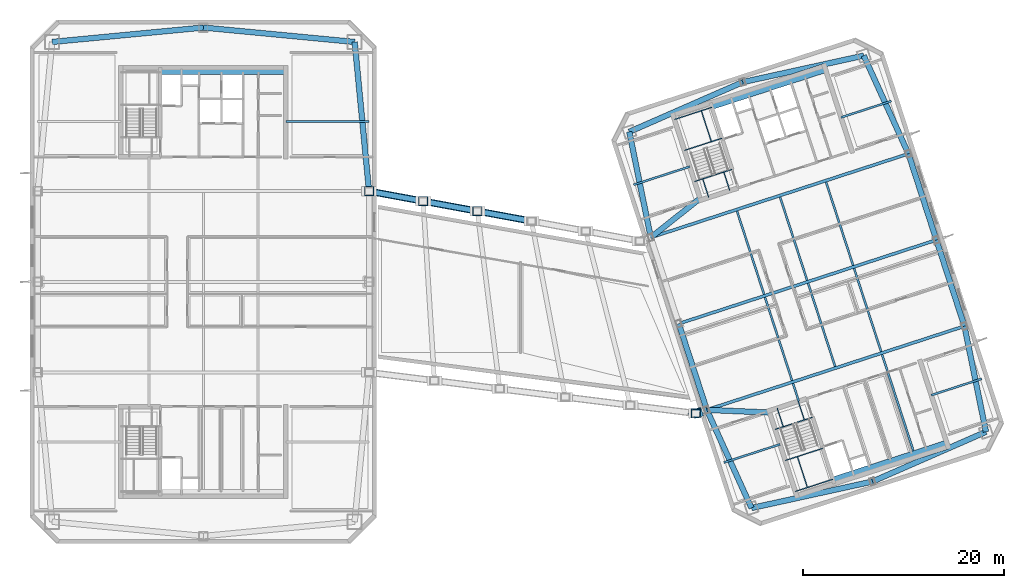
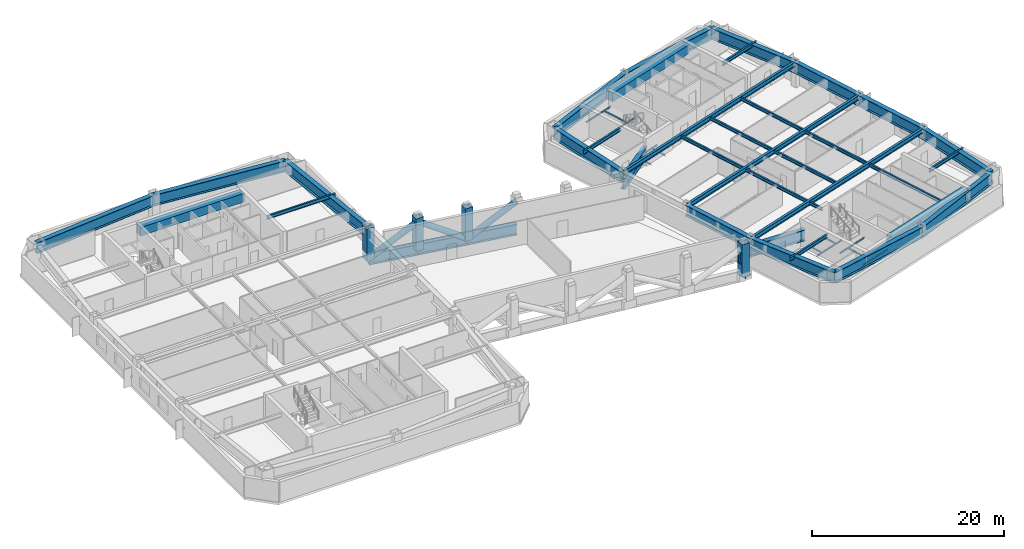
# One storey, part 4 of 19: 51 beams, 8 members.
"""IFC4 building model written with IfcOpenShell, lengths in metres."""

from ifc_helpers import new_model, si_unit, direction, frame, origin, origin_2d, place, context, subcontext, project, spatial, rectangle, hollow_rectangle, hollow_circle, i_section, extrude, material, material_profile, profile_set, type_object, element, save


model = new_model("IFC4")

# Units and contexts
model_context = context("Model", 3, precision=1e-05, world=origin(), true_north=direction((0.0, 1.0)))
body_context = subcontext(model_context, "Body", "Model", "MODEL_VIEW")
ifc_project = project(units=[si_unit("LENGTHUNIT", "METRE"), si_unit("AREAUNIT", "SQUARE_METRE"), si_unit("VOLUMEUNIT", "CUBIC_METRE"), si_unit("PLANEANGLEUNIT", "RADIAN"), si_unit("MASSUNIT", "GRAM", prefix="KILO")], contexts=[model_context])

# Site, building, storey
site_placement = place(None, origin())
site = spatial("IfcSite", under=ifc_project, at=site_placement, CompositionType="ELEMENT")
building_placement = place(site_placement, origin())
building = spatial("IfcBuilding", under=site, at=building_placement, Name="Qiaolan Cultural Towers", CompositionType="ELEMENT")
storey_placement = place(building_placement, frame((0.0, 0.0, 216.199951171875)))
storey = spatial("IfcBuildingStorey", under=building, at=storey_placement, Name="L58", CompositionType="ELEMENT", Elevation=216.199951171875)

# Beams
ifc_material_1 = material(Name="Steel Q420GJB", Category="steel")
ifc_material_profile_1 = material_profile(ifc_material_1, i_section(OverallWidth=0.550048828125, OverallDepth=1.39990234375, WebThickness=0.031982421875, FlangeThickness=0.050048828125, at=origin_2d()), Name="BH1400x550x32x50")
ifc_profile_set_1 = profile_set([ifc_material_profile_1], Name="Steel Q420GJB")
beam_type_1 = type_object("IfcBeamType", Name="BM-BH1400x550x32x50", PredefinedType="BEAM", material=ifc_profile_set_1)
beam_1_placement = place(storey_placement, frame((46.449951171875, 43.0, 2.469970703125), z_axis=(-0.096040159186, 0.995377459974, 0.0), x_axis=(-0.995377459974, -0.096040159186, 0.0)))
element("IfcBeam", 1, at=beam_1_placement, inside=storey, type_object=beam_type_1, Name="L58 T1 Perimeter Spandrel Beam 6", PredefinedType="BEAM", context=body_context, shape_type="SweptSolid", body=[
    extrude(i_section(OverallWidth=0.550048828125, OverallDepth=1.39990234375, WebThickness=0.031982421875, FlangeThickness=0.050048828125, at=origin_2d()), origin(), (0.0, 0.0, 1.0), 14.888916015625),
])
for number, where, z_axis, x_axis, name in (
    (2, (45.02001953125, 57.820068359375, 2.469970703125), (-0.995498889995, 0.094773203061, 0.0), (-0.094773203061, -0.995498889995, 0.0), "L58 T1 Perimeter Spandrel Beam 7"),
    (3, (30.0, 59.25, 2.469970703125), (-0.995498889995, -0.094773203061, 0.0), (0.094773203061, -0.995498889995, 0.0), "L58 T1 Perimeter Spandrel Beam 8"),
):
    element("IfcBeam", number, at=place(storey_placement, frame(where, z_axis=z_axis, x_axis=x_axis)), inside=storey, type_object=beam_type_1, Name=name, PredefinedType="BEAM", context=body_context, shape_type="SweptSolid", body=[
        extrude(i_section(OverallWidth=0.550048828125, OverallDepth=1.39990234375, WebThickness=0.031982421875, FlangeThickness=0.050048828125, at=origin_2d()), origin(), (0.0, 0.0, 1.0), 15.087890625),
    ])
beam_2_placement = place(storey_placement, frame((84.42822265625, 11.538818359375, 2.469970703125), z_axis=(0.976843395078, 0.213955559619, 0.0), x_axis=(-0.213955559619, 0.976843395078, 0.0)))
element("IfcBeam", 4, at=beam_2_placement, inside=storey, type_object=beam_type_1, Name="L58 T2 Perimeter Spandrel Beam 1", PredefinedType="BEAM", context=body_context, shape_type="SweptSolid", body=[
    extrude(i_section(OverallWidth=0.550048828125, OverallDepth=1.39990234375, WebThickness=0.031982421875, FlangeThickness=0.050048828125, at=origin_2d()), origin(), (0.0, 0.0, 1.0), 12.2998046875),
])
beam_3_placement = place(storey_placement, frame((96.443115234375, 14.17041015625, 2.469970703125), z_axis=(0.916042038824, 0.401082264762, 0.0), x_axis=(-0.401082264762, 0.916042038824, 0.0)))
element("IfcBeam", 5, at=beam_3_placement, inside=storey, type_object=beam_type_1, Name="L58 T2 Perimeter Spandrel Beam 2", PredefinedType="BEAM", context=body_context, shape_type="SweptSolid", body=[
    extrude(i_section(OverallWidth=0.550048828125, OverallDepth=1.39990234375, WebThickness=0.031982421875, FlangeThickness=0.050048828125, at=origin_2d()), origin(), (0.0, 0.0, 1.0), 12.299560546875),
])
beam_4_placement = place(storey_placement, frame((107.7099609375, 19.103515625, 2.469970703125), z_axis=(-0.199578538116, 0.979881833245, 0.0), x_axis=(-0.979881833245, -0.199578538116, 0.0)))
element("IfcBeam", 6, at=beam_4_placement, inside=storey, type_object=beam_type_1, Name="L58 T2 Perimeter Spandrel Beam 3", PredefinedType="BEAM", context=body_context, shape_type="SweptSolid", body=[
    extrude(i_section(OverallWidth=0.550048828125, OverallDepth=1.39990234375, WebThickness=0.031982421875, FlangeThickness=0.050048828125, at=origin_2d()), origin(), (0.0, 0.0, 1.0), 10.70849609375),
])
for number, where, z_axis, x_axis, name in (
    (7, (105.57275390625, 29.5966796875, 2.469970703125), (-0.309000197986, 0.951061973609, 0.0), (-0.951061973609, -0.309000197986, 0.0), "L58 T2 Perimeter Spandrel Beam 4"),
    (8, (102.791748046875, 38.15625, 2.469970703125), (-0.309024734286, 0.951054001411, 0.0), (-0.951054001411, -0.309024734286, 0.0), "L58 T2 Perimeter Spandrel Beam 5"),
):
    element("IfcBeam", number, at=place(storey_placement, frame(where, z_axis=z_axis, x_axis=x_axis)), inside=storey, type_object=beam_type_1, Name=name, PredefinedType="BEAM", context=body_context, shape_type="SweptSolid", body=[
        extrude(i_section(OverallWidth=0.550048828125, OverallDepth=1.39990234375, WebThickness=0.031982421875, FlangeThickness=0.050048828125, at=origin_2d()), origin(), (0.0, 0.0, 1.0), 9.0),
    ])
beam_5_placement = place(storey_placement, frame((100.010498046875, 46.7158203125, 2.469970703125), z_axis=(-0.414500208282, 0.910049216985, 0.0), x_axis=(-0.910049216985, -0.414500208282, 0.0)))
element("IfcBeam", 9, at=beam_5_placement, inside=storey, type_object=beam_type_1, Name="L58 T2 Perimeter Spandrel Beam 6", PredefinedType="BEAM", context=body_context, shape_type="SweptSolid", body=[
    extrude(i_section(OverallWidth=0.550048828125, OverallDepth=1.39990234375, WebThickness=0.031982421875, FlangeThickness=0.050048828125, at=origin_2d()), origin(), (0.0, 0.0, 1.0), 10.70849609375),
])
beam_6_placement = place(storey_placement, frame((95.57177734375, 56.461181640625, 2.469970703125), z_axis=(-0.976843395078, -0.213955559619, 0.0), x_axis=(0.213955559619, -0.976843395078, 0.0)))
element("IfcBeam", 10, at=beam_6_placement, inside=storey, type_object=beam_type_1, Name="L58 T2 Perimeter Spandrel Beam 7", PredefinedType="BEAM", context=body_context, shape_type="SweptSolid", body=[
    extrude(i_section(OverallWidth=0.550048828125, OverallDepth=1.39990234375, WebThickness=0.031982421875, FlangeThickness=0.050048828125, at=origin_2d()), origin(), (0.0, 0.0, 1.0), 12.2998046875),
])
beam_7_placement = place(storey_placement, frame((83.556884765625, 53.82958984375, 2.469970703125), z_axis=(-0.916042038824, -0.401082264762, 0.0), x_axis=(0.401082264762, -0.916042038824, 0.0)))
element("IfcBeam", 11, at=beam_7_placement, inside=storey, type_object=beam_type_1, Name="L58 T2 Perimeter Spandrel Beam 8", PredefinedType="BEAM", context=body_context, shape_type="SweptSolid", body=[
    extrude(i_section(OverallWidth=0.550048828125, OverallDepth=1.39990234375, WebThickness=0.031982421875, FlangeThickness=0.050048828125, at=origin_2d()), origin(), (0.0, 0.0, 1.0), 12.299560546875),
])
beam_8_placement = place(storey_placement, frame((72.2900390625, 48.896484375, 2.469970703125), z_axis=(0.199578538116, -0.979881833245, 0.0), x_axis=(0.979881833245, 0.199578538116, 0.0)))
element("IfcBeam", 12, at=beam_8_placement, inside=storey, type_object=beam_type_1, Name="L58 T2 Perimeter Spandrel Beam 9", PredefinedType="BEAM", context=body_context, shape_type="SweptSolid", body=[
    extrude(i_section(OverallWidth=0.550048828125, OverallDepth=1.39990234375, WebThickness=0.031982421875, FlangeThickness=0.050048828125, at=origin_2d()), origin(), (0.0, 0.0, 1.0), 10.70849609375),
])
beam_9_placement = place(storey_placement, frame((77.208251953125, 29.84375, 2.469970703125), z_axis=(0.309024734286, -0.951054001411, 0.0), x_axis=(0.951054001411, 0.309024734286, 0.0)))
element("IfcBeam", 13, at=beam_9_placement, inside=storey, type_object=beam_type_1, Name="L58 T2 Perimeter Spandrel Beam 11", PredefinedType="BEAM", context=body_context, shape_type="SweptSolid", body=[
    extrude(i_section(OverallWidth=0.550048828125, OverallDepth=1.39990234375, WebThickness=0.031982421875, FlangeThickness=0.050048828125, at=origin_2d()), origin(), (0.0, 0.0, 1.0), 9.0),
])
beam_10_placement = place(storey_placement, frame((79.989501953125, 21.2841796875, 2.469970703125), z_axis=(0.414500208282, -0.910049216985, 0.0), x_axis=(0.910049216985, 0.414500208282, 0.0)))
element("IfcBeam", 14, at=beam_10_placement, inside=storey, type_object=beam_type_1, Name="L58 T2 Perimeter Spandrel Beam 12", PredefinedType="BEAM", context=body_context, shape_type="SweptSolid", body=[
    extrude(i_section(OverallWidth=0.550048828125, OverallDepth=1.39990234375, WebThickness=0.031982421875, FlangeThickness=0.050048828125, at=origin_2d()), origin(), (0.0, 0.0, 1.0), 10.70849609375),
])
beam_11_placement = place(storey_placement, frame((86.280517578125, 21.01513671875, 1.52001953125), z_axis=(-0.99908677763, 0.0427271666, 0.0), x_axis=(-0.0427271666, -0.99908677763, 0.0)))
element("IfcBeam", 15, at=beam_11_placement, inside=storey, type_object=beam_type_1, Name="L58 East Tower Sky Park Upper Corbel Back-Span S", PredefinedType="BEAM", context=body_context, shape_type="SweptSolid", body=[
    extrude(i_section(OverallWidth=0.550048828125, OverallDepth=1.39990234375, WebThickness=0.031982421875, FlangeThickness=0.050048828125, at=origin_2d()), origin(), (0.0, 0.0, 1.0), 6.296875),
])
beam_12_placement = place(storey_placement, frame((79.989501953125, 21.2841796875, 1.52001953125), z_axis=(-0.951058615481, -0.309010533671, 0.0), x_axis=(0.309010533671, -0.951058615481, 0.0)))
element("IfcBeam", 16, at=beam_12_placement, inside=storey, type_object=beam_type_1, Name="L58 East Tower Sky Park Upper Bridge Seat Corbel S (1900 mm Seat)", PredefinedType="BEAM", context=body_context, shape_type="SweptSolid", body=[
    extrude(i_section(OverallWidth=0.550048828125, OverallDepth=1.39990234375, WebThickness=0.031982421875, FlangeThickness=0.050048828125, at=origin_2d()), origin(), (0.0, 0.0, 1.0), 1.900146484375),
])
beam_13_placement = place(storey_placement, frame((79.358642578125, 42.31884765625, 1.52001953125), z_axis=(-0.783155829209, -0.62182549576, 0.0), x_axis=(0.62182549576, -0.783155829209, 0.0)))
element("IfcBeam", 17, at=beam_13_placement, inside=storey, type_object=beam_type_1, Name="L58 East Tower Sky Park Upper Corbel Back-Span N", PredefinedType="BEAM", context=body_context, shape_type="SweptSolid", body=[
    extrude(i_section(OverallWidth=0.550048828125, OverallDepth=1.39990234375, WebThickness=0.031982421875, FlangeThickness=0.050048828125, at=origin_2d()), origin(), (0.0, 0.0, 1.0), 6.296875),
])
for number, where, z_axis, x_axis, name in (
    (18, (46.449951171875, 43.0, -0.97998046875), (0.983452141721, -0.181168112381, 0.0), (0.181168112381, 0.983452141721, 0.0), "Sky Park N Truss Bottom Chord 1"),
    (19, (51.82666015625, 42.009521484375, -0.97998046875), (0.983452141721, -0.181168112381, 0.0), (0.181168112381, 0.983452141721, 0.0), "Sky Park N Truss Bottom Chord 2"),
):
    element("IfcBeam", number, at=place(storey_placement, frame(where, z_axis=z_axis, x_axis=x_axis)), inside=storey, type_object=beam_type_1, Name=name, PredefinedType="BEAM", context=body_context, shape_type="SweptSolid", body=[
        extrude(i_section(OverallWidth=0.550048828125, OverallDepth=1.39990234375, WebThickness=0.031982421875, FlangeThickness=0.050048828125, at=origin_2d()), origin(), (0.0, 0.0, 1.0), 5.46728515625),
    ])
beam_14_placement = place(storey_placement, frame((57.203369140625, 41.01904296875, -0.97998046875), z_axis=(0.983460097148, -0.181124921856, 0.0), x_axis=(0.181124921856, 0.983460097148, 0.0)))
element("IfcBeam", 20, at=beam_14_placement, inside=storey, type_object=beam_type_1, Name="Sky Park N Truss Bottom Chord 3", PredefinedType="BEAM", context=body_context, shape_type="SweptSolid", body=[
    extrude(i_section(OverallWidth=0.550048828125, OverallDepth=1.39990234375, WebThickness=0.031982421875, FlangeThickness=0.050048828125, at=origin_2d()), origin(), (0.0, 0.0, 1.0), 5.467041015625),
])
ifc_material_2 = material(Name="Steel Q355B", Category="steel")
ifc_material_profile_2 = material_profile(ifc_material_2, i_section(OverallWidth=0.300048828125, OverallDepth=0.587890625, WebThickness=0.011962890625, FlangeThickness=0.02001953125, at=origin_2d()), Name="HM588x300x12x20")
ifc_profile_set_2 = profile_set([ifc_material_profile_2], Name="Steel Q355B")
beam_type_2 = type_object("IfcBeamType", Name="BM-HM588x300x12x20", PredefinedType="BEAM", material=ifc_profile_set_2)
beam_15_placement = place(storey_placement, frame((79.989501953125, 21.2841796875, 2.8759765625), z_axis=(0.951056543098, 0.309016911884, 0.0), x_axis=(-0.309016911884, 0.951056543098, 0.0)))
element("IfcBeam", 21, at=beam_15_placement, inside=storey, type_object=beam_type_2, Name="L58 T2 Primary Transverse Girder V1", PredefinedType="BEAM", context=body_context, shape_type="SweptSolid", body=[
    extrude(i_section(OverallWidth=0.300048828125, OverallDepth=0.587890625, WebThickness=0.011962890625, FlangeThickness=0.02001953125, at=origin_2d()), origin(), (0.0, 0.0, 1.0), 26.89990234375),
])
beam_16_placement = place(storey_placement, frame((77.208251953125, 29.84375, 2.8759765625), z_axis=(0.95105740976, 0.309014244561, 0.0), x_axis=(-0.309014244561, 0.95105740976, 0.0)))
element("IfcBeam", 22, at=beam_16_placement, inside=storey, type_object=beam_type_2, Name="L58 T2 Primary Transverse Girder V2", PredefinedType="BEAM", context=body_context, shape_type="SweptSolid", body=[
    extrude(i_section(OverallWidth=0.300048828125, OverallDepth=0.587890625, WebThickness=0.011962890625, FlangeThickness=0.02001953125, at=origin_2d()), origin(), (0.0, 0.0, 1.0), 26.900146484375),
])
beam_17_placement = place(storey_placement, frame((74.42724609375, 38.4033203125, 2.8759765625), z_axis=(0.951056543098, 0.309016911884, 0.0), x_axis=(-0.309016911884, 0.951056543098, 0.0)))
element("IfcBeam", 23, at=beam_17_placement, inside=storey, type_object=beam_type_2, Name="L58 T2 Primary Transverse Girder V3", PredefinedType="BEAM", context=body_context, shape_type="SweptSolid", body=[
    extrude(i_section(OverallWidth=0.300048828125, OverallDepth=0.587890625, WebThickness=0.011962890625, FlangeThickness=0.02001953125, at=origin_2d()), origin(), (0.0, 0.0, 1.0), 26.89990234375),
])
ifc_material_3 = material(Name="Steel Q355B", Category="steel")
ifc_material_profile_3 = material_profile(ifc_material_3, i_section(OverallWidth=0.199951171875, OverallDepth=0.39990234375, WebThickness=0.008056640625, FlangeThickness=0.012939453125, at=origin_2d()), Name="HN400x200x8x13")
ifc_profile_set_3 = profile_set([ifc_material_profile_3], Name="Steel Q355B")
beam_type_3 = type_object("IfcBeamType", Name="BM-JST-HN400x200x8x13", PredefinedType="JOIST", material=ifc_profile_set_3)
beam_18_placement = place(storey_placement, frame((89.119384765625, 22.147705078125, 2.969970703125), z_axis=(-0.308933885266, 0.951083516067, 0.0), x_axis=(-0.951083516067, -0.308933885266, 0.0)))
element("IfcBeam", 24, at=beam_18_placement, inside=storey, type_object=beam_type_3, Name="L58 T2 Secondary Floor Joist U1-1", PredefinedType="JOIST", context=body_context, shape_type="SweptSolid", body=[
    extrude(i_section(OverallWidth=0.199951171875, OverallDepth=0.39990234375, WebThickness=0.008056640625, FlangeThickness=0.012939453125, at=origin_2d()), origin(), (0.0, 0.0, 1.0), 1.85009765625),
])
for number, where, z_axis, x_axis, name in (
    (25, (88.455078125, 24.192626953125, 2.969970703125), (-0.309020714809, 0.951055307445, 0.0), (-0.951055307445, -0.309020714809, 0.0), "L58 T2 Secondary Floor Joist U1-2"),
    (26, (85.673828125, 32.752197265625, 2.969970703125), (-0.309020714809, 0.951055307445, 0.0), (-0.951055307445, -0.309020714809, 0.0), "L58 T2 Secondary Floor Joist U1-3"),
    (27, (92.73486328125, 25.583251953125, 2.969970703125), (-0.309020714809, 0.951055307445, 0.0), (-0.951055307445, -0.309020714809, 0.0), "L58 T2 Secondary Floor Joist U2-2"),
    (28, (89.95361328125, 34.142578125, 2.969970703125), (-0.309020714809, 0.951055307445, 0.0), (-0.951055307445, -0.309020714809, 0.0), "L58 T2 Secondary Floor Joist U2-3"),
):
    element("IfcBeam", number, at=place(storey_placement, frame(where, z_axis=z_axis, x_axis=x_axis)), inside=storey, type_object=beam_type_3, Name=name, PredefinedType="JOIST", context=body_context, shape_type="SweptSolid", body=[
        extrude(i_section(OverallWidth=0.199951171875, OverallDepth=0.39990234375, WebThickness=0.008056640625, FlangeThickness=0.012939453125, at=origin_2d()), origin(), (0.0, 0.0, 1.0), 8.699951171875),
    ])
beam_19_placement = place(storey_placement, frame((100.498291015625, 17.222900390625, 2.969970703125), z_axis=(-0.309025649293, 0.951053704098, 0.0), x_axis=(-0.951053704098, -0.309025649293, 0.0)))
element("IfcBeam", 29, at=beam_19_placement, inside=storey, type_object=beam_type_3, Name="L58 T2 Secondary Floor Joist U3-1", PredefinedType="JOIST", context=body_context, shape_type="SweptSolid", body=[
    extrude(i_section(OverallWidth=0.199951171875, OverallDepth=0.39990234375, WebThickness=0.008056640625, FlangeThickness=0.012939453125, at=origin_2d()), origin(), (0.0, 0.0, 1.0), 10.050048828125),
])
for number, where, z_axis, x_axis, name in (
    (30, (97.2998046875, 27.06640625, 2.969970703125), (-0.309020714809, 0.951055307445, 0.0), (-0.951055307445, -0.309020714809, 0.0), "L58 T2 Secondary Floor Joist U3-2"),
    (31, (94.518798828125, 35.6259765625, 2.969970703125), (-0.309020714809, 0.951055307445, 0.0), (-0.951055307445, -0.309020714809, 0.0), "L58 T2 Secondary Floor Joist U3-3"),
):
    element("IfcBeam", number, at=place(storey_placement, frame(where, z_axis=z_axis, x_axis=x_axis)), inside=storey, type_object=beam_type_3, Name=name, PredefinedType="JOIST", context=body_context, shape_type="SweptSolid", body=[
        extrude(i_section(OverallWidth=0.199951171875, OverallDepth=0.39990234375, WebThickness=0.008056640625, FlangeThickness=0.012939453125, at=origin_2d()), origin(), (0.0, 0.0, 1.0), 8.699951171875),
    ])
ifc_material_4 = material(Name="Steel Q355B", Category="steel")
ifc_material_profile_4 = material_profile(ifc_material_4, i_section(OverallWidth=0.199951171875, OverallDepth=0.449951171875, WebThickness=0.009033203125, FlangeThickness=0.013916015625, at=origin_2d()), Name="HN450x200x9x14")
ifc_profile_set_4 = profile_set([ifc_material_profile_4], Name="Steel Q355B")
beam_type_4 = type_object("IfcBeamType", Name="BM-LNT-HN450x200x9x14", PredefinedType="LINTEL", material=ifc_profile_set_4)
beam_20_placement = place(storey_placement, frame((38.199951171875, 49.89990234375, 2.945068359375), z_axis=(1.0, 0.0, 0.0), x_axis=(0.0, 1.0, 0.0)))
element("IfcBeam", 32, at=beam_20_placement, inside=storey, type_object=beam_type_4, Name="L58 T1 Core Flank Tie Lintel EN", PredefinedType="LINTEL", context=body_context, shape_type="SweptSolid", body=[
    extrude(i_section(OverallWidth=0.199951171875, OverallDepth=0.449951171875, WebThickness=0.009033203125, FlangeThickness=0.013916015625, at=origin_2d()), origin(), (0.0, 0.0, 1.0), 8.25),
])
for number, where, z_axis, x_axis, name in (
    (33, (87.252685546875, 17.861083984375, 2.945068359375), (-0.951063813276, -0.308994535675, 0.0), (0.308994535675, -0.951063813276, 0.0), "L58 T2 Core Flank Tie Lintel WS"),
    (34, (78.291259765625, 45.44189453125, 2.945068359375), (-0.951051548326, -0.309032283793, 0.0), (0.309032283793, -0.951051548326, 0.0), "L58 T2 Core Flank Tie Lintel WN"),
):
    element("IfcBeam", number, at=place(storey_placement, frame(where, z_axis=z_axis, x_axis=x_axis)), inside=storey, type_object=beam_type_4, Name=name, PredefinedType="LINTEL", context=body_context, shape_type="SweptSolid", body=[
        extrude(i_section(OverallWidth=0.199951171875, OverallDepth=0.449951171875, WebThickness=0.009033203125, FlangeThickness=0.013916015625, at=origin_2d()), origin(), (0.0, 0.0, 1.0), 5.85009765625),
    ])
for number, where, z_axis, x_axis, name in (
    (35, (102.279296875, 22.74365234375, 2.945068359375), (0.951060037126, 0.309006158161, 0.0), (-0.309006158161, 0.951060037126, 0.0), "L58 T2 Core Flank Tie Lintel ES"),
    (36, (93.31787109375, 50.32421875, 2.945068359375), (0.951060037126, 0.309006158161, 0.0), (-0.309006158161, 0.951060037126, 0.0), "L58 T2 Core Flank Tie Lintel EN"),
):
    element("IfcBeam", number, at=place(storey_placement, frame(where, z_axis=z_axis, x_axis=x_axis)), inside=storey, type_object=beam_type_4, Name=name, PredefinedType="LINTEL", context=body_context, shape_type="SweptSolid", body=[
        extrude(i_section(OverallWidth=0.199951171875, OverallDepth=0.449951171875, WebThickness=0.009033203125, FlangeThickness=0.013916015625, at=origin_2d()), origin(), (0.0, 0.0, 1.0), 5.25),
    ])
ifc_material_5 = material(Name="Concrete C50", Category="concrete")
ifc_material_profile_5 = material_profile(ifc_material_5, rectangle(XDim=0.89990234375, YDim=1.10009765625, at=origin_2d()), Name="RC900x1100")
ifc_profile_set_5 = profile_set([ifc_material_profile_5], Name="Concrete C50")
beam_type_5 = type_object("IfcBeamType", Name="BM-RC900x1100", PredefinedType="BEAM", material=ifc_profile_set_5)
beam_21_placement = place(storey_placement, frame((25.719970703125, 55.050048828125, 2.6201171875), z_axis=(1.0, 0.0, 0.0), x_axis=(0.0, 1.0, 0.0)))
element("IfcBeam", 37, at=beam_21_placement, inside=storey, type_object=beam_type_5, Name="L58 T1 Core Header Girder N", PredefinedType="BEAM", context=body_context, shape_type="SweptSolid", body=[
    extrude(rectangle(XDim=0.89990234375, YDim=1.10009765625, at=origin_2d()), origin(), (0.0, 0.0, 1.0), 12.47998046875),
])
for number, where, z_axis, x_axis, name in (
    (38, (92.572265625, 14.174560546875, 2.6201171875), (0.951056266386, 0.309017763514, 0.0), (-0.309017763514, 0.951056266386, 0.0), "L58 T2 Core Header Girder S"),
    (39, (80.427978515625, 51.551025390625, 2.6201171875), (0.951056266386, 0.309017763514, 0.0), (-0.309017763514, 0.951056266386, 0.0), "L58 T2 Core Header Girder N"),
):
    element("IfcBeam", number, at=place(storey_placement, frame(where, z_axis=z_axis, x_axis=x_axis)), inside=storey, type_object=beam_type_5, Name=name, PredefinedType="BEAM", context=body_context, shape_type="SweptSolid", body=[
        extrude(rectangle(XDim=0.89990234375, YDim=1.10009765625, at=origin_2d()), origin(), (0.0, 0.0, 1.0), 11.880126953125),
    ])
ifc_material_6 = material(Name="Steel Q355B", Category="steel")
ifc_material_profile_6 = material_profile(ifc_material_6, i_section(OverallWidth=0.10009765625, OverallDepth=0.199951171875, WebThickness=0.005615234375, FlangeThickness=0.008056640625, at=origin_2d()), Name="HN200x100x5.5x8")
ifc_profile_set_6 = profile_set([ifc_material_profile_6], Name="Steel Q355B")
beam_type_6 = type_object("IfcBeamType", Name="BM-STTRIM-200", PredefinedType="BEAM", material=ifc_profile_set_6)
beam_22_placement = place(storey_placement, frame((86.770751953125, 19.3447265625, -0.4599609375), z_axis=(0.951047798727, 0.309043823005, 0.0), x_axis=(-0.309043823005, 0.951047798727, 0.0)))
element("IfcBeam", 40, at=beam_22_placement, inside=storey, type_object=beam_type_6, Name="L58 ST-E1 Floor Landing Header Beam", PredefinedType="BEAM", context=body_context, shape_type="SweptSolid", body=[
    extrude(i_section(OverallWidth=0.10009765625, OverallDepth=0.199951171875, WebThickness=0.005615234375, FlangeThickness=0.008056640625, at=origin_2d()), origin(), (0.0, 0.0, 1.0), 3.919921875),
])
for number, where, z_axis, x_axis, name in (
    (41, (86.9794921875, 21.452392578125, -0.4599609375), (0.309083226701, -0.951034993558, 0.0), (0.951034993558, 0.309083226701, 0.0), "L58 ST-E1 Floor Landing Stringer 1"),
    (42, (89.07177734375, 22.13232421875, -0.4599609375), (0.309083226701, -0.951034993558, 0.0), (0.951034993558, 0.309083226701, 0.0), "L58 ST-E1 Floor Landing Stringer 2"),
):
    element("IfcBeam", number, at=place(storey_placement, frame(where, z_axis=z_axis, x_axis=x_axis)), inside=storey, type_object=beam_type_6, Name=name, PredefinedType="BEAM", context=body_context, shape_type="SweptSolid", body=[
        extrude(i_section(OverallWidth=0.10009765625, OverallDepth=0.199951171875, WebThickness=0.005615234375, FlangeThickness=0.008056640625, at=origin_2d()), origin(), (0.0, 0.0, 1.0), 1.93994140625),
    ])
for number, where, z_axis, x_axis, name in (
    (43, (87.774658203125, 16.255126953125, 1.425048828125), (0.951047798727, 0.309043823005, 0.0), (-0.309043823005, 0.951047798727, 0.0), "L58 ST-E1 Stair Landing Support Beam 1-1"),
    (44, (88.773193359375, 13.181884765625, 1.425048828125), (0.951047798727, 0.309043823005, 0.0), (-0.309043823005, 0.951047798727, 0.0), "L58 ST-E1 Stair Landing Support Beam 1-2"),
):
    element("IfcBeam", number, at=place(storey_placement, frame(where, z_axis=z_axis, x_axis=x_axis)), inside=storey, type_object=beam_type_6, Name=name, PredefinedType="BEAM", context=body_context, shape_type="SweptSolid", body=[
        extrude(i_section(OverallWidth=0.10009765625, OverallDepth=0.199951171875, WebThickness=0.005615234375, FlangeThickness=0.008056640625, at=origin_2d()), origin(), (0.0, 0.0, 1.0), 3.919921875),
    ])
beam_23_placement = place(storey_placement, frame((88.982421875, 16.6474609375, 1.425048828125), z_axis=(0.309033108495, -0.951051280349, 0.0), x_axis=(0.951051280349, 0.309033108495, 0.0)))
element("IfcBeam", 45, at=beam_23_placement, inside=storey, type_object=beam_type_6, Name="L58 ST-E1 Stair Landing Trimmer 1", PredefinedType="BEAM", context=body_context, shape_type="SweptSolid", body=[
    extrude(i_section(OverallWidth=0.10009765625, OverallDepth=0.199951171875, WebThickness=0.005615234375, FlangeThickness=0.008056640625, at=origin_2d()), origin(), (0.0, 0.0, 1.0), 3.231201171875),
])
beam_24_placement = place(storey_placement, frame((78.773193359375, 43.958251953125, -0.4599609375), z_axis=(0.951072048947, 0.3089691857, 0.0), x_axis=(-0.3089691857, 0.951072048947, 0.0)))
element("IfcBeam", 46, at=beam_24_placement, inside=storey, type_object=beam_type_6, Name="L58 ST-E2 Floor Landing Header Beam", PredefinedType="BEAM", context=body_context, shape_type="SweptSolid", body=[
    extrude(i_section(OverallWidth=0.10009765625, OverallDepth=0.199951171875, WebThickness=0.005615234375, FlangeThickness=0.008056640625, at=origin_2d()), origin(), (0.0, 0.0, 1.0), 3.920166015625),
])
for number, where, z_axis, x_axis, name in (
    (47, (80.18115234375, 42.375732421875, -0.4599609375), (-0.308969394428, 0.951071981138, 0.0), (-0.951071981138, -0.308969394428, 0.0), "L58 ST-E2 Floor Landing Stringer 1"),
    (48, (82.2734375, 43.0556640625, -0.4599609375), (-0.308969394428, 0.951071981138, 0.0), (-0.951071981138, -0.308969394428, 0.0), "L58 ST-E2 Floor Landing Stringer 2"),
):
    element("IfcBeam", number, at=place(storey_placement, frame(where, z_axis=z_axis, x_axis=x_axis)), inside=storey, type_object=beam_type_6, Name=name, PredefinedType="BEAM", context=body_context, shape_type="SweptSolid", body=[
        extrude(i_section(OverallWidth=0.10009765625, OverallDepth=0.199951171875, WebThickness=0.005615234375, FlangeThickness=0.008056640625, at=origin_2d()), origin(), (0.0, 0.0, 1.0), 1.93994140625),
    ])
for number, where, z_axis, x_axis, name in (
    (49, (77.769287109375, 47.0478515625, 1.425048828125), (0.951053746643, 0.309025518358, 0.0), (-0.309025518358, 0.951053746643, 0.0), "L58 ST-E2 Stair Landing Support Beam 1-1"),
    (50, (76.770751953125, 50.12109375, 1.425048828125), (0.951072048947, 0.3089691857, 0.0), (-0.3089691857, 0.951072048947, 0.0), "L58 ST-E2 Stair Landing Support Beam 1-2"),
):
    element("IfcBeam", number, at=place(storey_placement, frame(where, z_axis=z_axis, x_axis=x_axis)), inside=storey, type_object=beam_type_6, Name=name, PredefinedType="BEAM", context=body_context, shape_type="SweptSolid", body=[
        extrude(i_section(OverallWidth=0.10009765625, OverallDepth=0.199951171875, WebThickness=0.005615234375, FlangeThickness=0.008056640625, at=origin_2d()), origin(), (0.0, 0.0, 1.0), 3.920166015625),
    ])
beam_25_placement = place(storey_placement, frame((80.44189453125, 47.916259765625, 1.425048828125), z_axis=(-0.309033108495, 0.951051280349, 0.0), x_axis=(-0.951051280349, -0.309033108495, 0.0)))
element("IfcBeam", 51, at=beam_25_placement, inside=storey, type_object=beam_type_6, Name="L58 ST-E2 Stair Landing Trimmer 1", PredefinedType="BEAM", context=body_context, shape_type="SweptSolid", body=[
    extrude(i_section(OverallWidth=0.10009765625, OverallDepth=0.199951171875, WebThickness=0.005615234375, FlangeThickness=0.008056640625, at=origin_2d()), origin(), (0.0, 0.0, 1.0), 3.231201171875),
])

# Members
ifc_material_7 = material(Name="Steel Q355B", Category="steel")
ifc_material_profile_7 = material_profile(ifc_material_7, rectangle(XDim=0.89990234375, YDim=0.25, at=origin_2d()), Name="SPH-BRG-900x900")
ifc_profile_set_7 = profile_set([ifc_material_profile_7], Name="Steel Q355B")
member_type_1 = type_object("IfcMemberType", Name="BRG-SLIDE-SPH", PredefinedType="USERDEFINED", material=ifc_profile_set_7)
member_placement = place(storey_placement, frame((79.513916015625, 21.129638671875, -1.10498046875), z_axis=(-0.951069945308, -0.308975661068, 0.0), x_axis=(0.308975661068, -0.951069945308, 0.0)))
element("IfcMember", 52, at=member_placement, inside=storey, type_object=member_type_1, Name="Sky Park Bidirectional Sliding Spherical Bearing BRG-SL1-S", ObjectType="BEARING", PredefinedType="USERDEFINED", context=body_context, shape_type="SweptSolid", body=[
    extrude(rectangle(XDim=0.89990234375, YDim=0.25, at=origin_2d()), origin(), (0.0, 0.0, 1.0), 0.89990234375),
])
ifc_material_8 = material(Name="Steel Q355B", Category="steel")
ifc_material_profile_8 = material_profile(ifc_material_8, hollow_circle(Radius=0.35009765625, WallThickness=0.034912109375, at=origin_2d()), Name="CHS700x35")
ifc_profile_set_8 = profile_set([ifc_material_profile_8], Name="Steel Q355B")
member_type_2 = type_object("IfcMemberType", Name="MBR-BRC-CHS700x35", PredefinedType="BRACE", material=ifc_profile_set_8)
for number, where, z_axis, x_axis, name in (
    (53, (46.449951171875, 43.0, -0.97998046875), (0.831704134843, -0.15321362553, 0.533660769626), (0.181168112381, 0.983452141721, 0.0), "Sky Park N Truss Diagonal 1"),
    (54, (51.82666015625, 42.009521484375, 2.469970703125), (0.831704134843, -0.15321362553, -0.533660769626), (0.181168112381, 0.983452141721, 0.0), "Sky Park N Truss Diagonal 2"),
    (55, (57.203369140625, 41.01904296875, -0.97998046875), (0.831708946657, -0.153176746476, 0.533663857114), (0.181124921856, 0.983460097148, 0.0), "Sky Park N Truss Diagonal 3"),
):
    element("IfcMember", number, at=place(storey_placement, frame(where, z_axis=z_axis, x_axis=x_axis)), inside=storey, type_object=member_type_2, Name=name, PredefinedType="BRACE", context=body_context, shape_type="SweptSolid", body=[
        extrude(hollow_circle(Radius=0.35009765625, WallThickness=0.034912109375, at=origin_2d()), origin(), (0.0, 0.0, 1.0), 6.464599609375),
    ])
ifc_material_9 = material(Name="Steel Q355B", Category="steel")
ifc_material_profile_9 = material_profile(ifc_material_9, hollow_rectangle(XDim=0.89990234375, YDim=0.89990234375, WallThickness=0.031982421875, at=origin_2d()), Name="BOX900x900x32")
ifc_profile_set_9 = profile_set([ifc_material_profile_9], Name="Steel Q355B")
member_type_3 = type_object("IfcMemberType", Name="MBR-POST-BOX900x900x32", PredefinedType="STUD", material=ifc_profile_set_9)
for number, where, z_axis, x_axis, name in (
    (56, (78.895751953125, 20.928955078125, -0.97998046875), (0.0, 0.0, 1.0), (1.0, 0.0, 0.0), "Sky Park S Truss Vertical Post 6"),
    (57, (46.449951171875, 43.0, -0.97998046875), (0.0, 0.0, 1.0), (1.0, 0.0, 0.0), "Sky Park N Truss Vertical Post 1"),
    (58, (51.82666015625, 42.009521484375, -0.97998046875), (0.0, 0.0, 1.0), (1.0, 0.0, 0.0), "Sky Park N Truss Vertical Post 2"),
    (59, (57.203369140625, 41.01904296875, -0.97998046875), (0.0, 0.0, 1.0), (1.0, 0.0, 0.0), "Sky Park N Truss Vertical Post 3"),
):
    element("IfcMember", number, at=place(storey_placement, frame(where, z_axis=z_axis, x_axis=x_axis)), inside=storey, type_object=member_type_3, Name=name, PredefinedType="STUD", context=body_context, shape_type="SweptSolid", body=[
        extrude(hollow_rectangle(XDim=0.89990234375, YDim=0.89990234375, WallThickness=0.031982421875, at=origin_2d()), origin(), (0.0, 0.0, 1.0), 4.150146484375),
    ])

save(model, "model.ifc")
